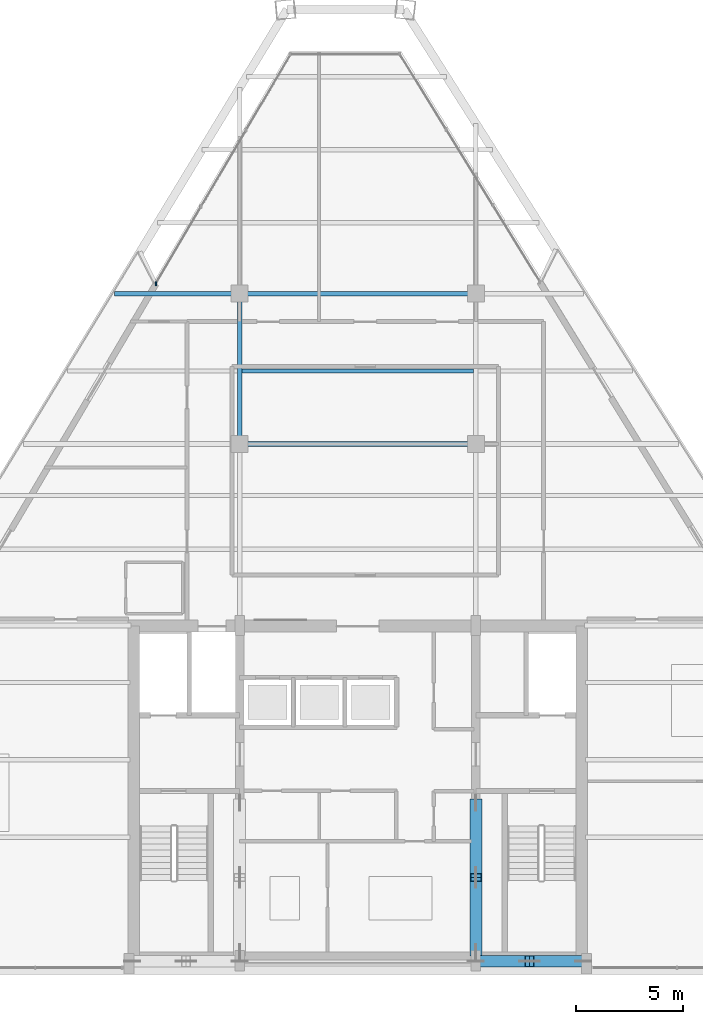
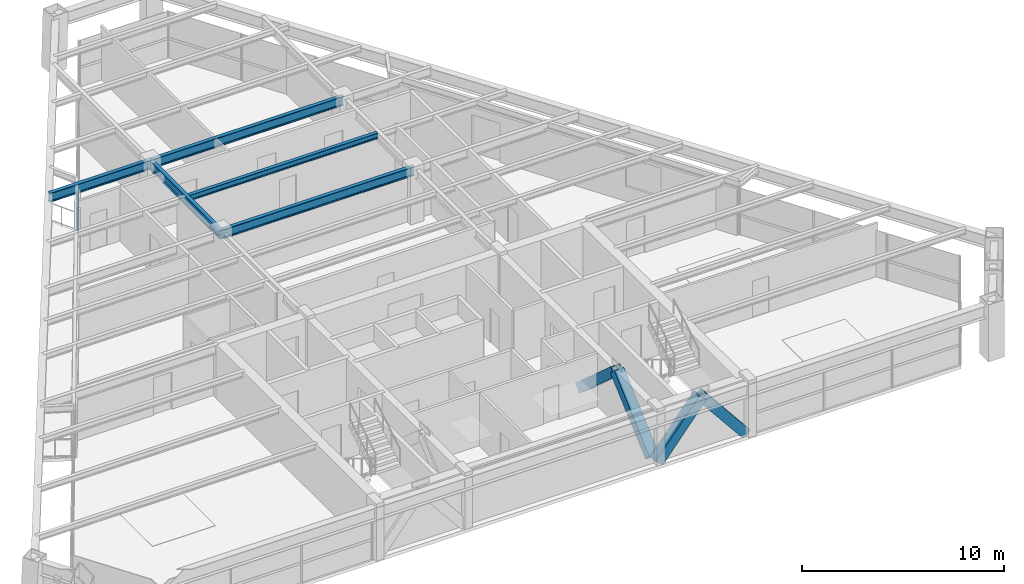
# One storey, part 4 of 14: 6 members, 5 beams, 1 element without a shape of its own.
"""IFC4 building model written with IfcOpenShell, lengths in metres."""

from ifc_helpers import new_model, si_unit, direction, frame, origin, origin_2d, place, context, subcontext, project, spatial, rectangle, hollow_rectangle, i_section, extrude, source, transform, mapped, material, material_profile, profile_set, type_object, type_shapes, element, aggregate, save


model = new_model("IFC4")

# Units and contexts
model_context = context("Model", 3, precision=1e-05, world=origin(), true_north=direction((0.0, 1.0)))
body_context = subcontext(model_context, "Body", "Model", "MODEL_VIEW")
ifc_project = project(units=[si_unit("LENGTHUNIT", "METRE"), si_unit("AREAUNIT", "SQUARE_METRE"), si_unit("VOLUMEUNIT", "CUBIC_METRE"), si_unit("PLANEANGLEUNIT", "RADIAN"), si_unit("MASSUNIT", "GRAM", prefix="KILO")], contexts=[model_context])

# Site, building, storey
site_placement = place(None, origin())
site = spatial("IfcSite", under=ifc_project, at=site_placement, CompositionType="ELEMENT")
building_placement = place(site_placement, origin())
building = spatial("IfcBuilding", under=site, at=building_placement, Name="Varnakhor Terracotta Tower", CompositionType="ELEMENT")
storey_placement = place(building_placement, frame((0.0, 0.0, 240.699951171875)))
storey = spatial("IfcBuildingStorey", under=building, at=storey_placement, Name="L62", CompositionType="ELEMENT", Elevation=240.699951171875)

# Beams
ifc_material_1 = material(Name="Steel S355", Category="steel")
ifc_material_profile_1 = material_profile(ifc_material_1, i_section(OverallWidth=0.214111328125, OverallDepth=0.549072265625, WebThickness=0.014892578125, FlangeThickness=0.02392578125, FilletRadius=0.01806640625, at=origin_2d()), Name="W21X93")
ifc_profile_set_1 = profile_set([ifc_material_profile_1], Name="Steel S355")
beam_type_1 = type_object("IfcBeamType", Name="BM-W21X93", PredefinedType="BEAM", material=ifc_profile_set_1)
shared_shape_1 = source(origin(), body_context, "Body", "SweptSolid", [
    extrude(i_section(OverallWidth=0.214111328125, OverallDepth=0.549072265625, WebThickness=0.014892578125, FlangeThickness=0.02392578125, FilletRadius=0.01806640625, at=origin_2d()), origin(), (0.0, 0.0, 1.0), 7.0),
])
beam_1_placement = place(storey_placement, frame((-5.5, 24.5, 2.965576171875), z_axis=(0.0, 1.0, 0.0), x_axis=(-1.0, 0.0, 0.0)))
element("IfcBeam", 1, at=beam_1_placement, inside=storey, type_object=beam_type_1, Name="L62 Primary Girder NS2-W", PredefinedType="BEAM", context=body_context, shape_type="MappedRepresentation", body=[
    mapped(shared_shape_1, transform((0.0, 0.0, 0.0), scale=1.0)),
])
shared_shape_2 = source(origin(), body_context, "Body", "SweptSolid", [
    extrude(i_section(OverallWidth=0.214111328125, OverallDepth=0.549072265625, WebThickness=0.014892578125, FlangeThickness=0.02392578125, FilletRadius=0.01806640625, at=origin_2d()), origin(), (0.0, 0.0, 1.0), 11.0),
])
for number, where, z_axis, x_axis, name in (
    (2, (-5.5, 24.5, 2.965576171875), (1.0, 0.0, 0.0), (0.0, 1.0, 0.0), "L62 Primary Girder EW2-2"),
    (3, (-5.5, 31.5, 2.965576171875), (1.0, 0.0, 0.0), (0.0, 1.0, 0.0), "L62 Primary Girder EW3-2"),
):
    element("IfcBeam", number, at=place(storey_placement, frame(where, z_axis=z_axis, x_axis=x_axis)), inside=storey, type_object=beam_type_1, Name=name, PredefinedType="BEAM", context=body_context, shape_type="MappedRepresentation", body=[
        mapped(shared_shape_2, transform((0.0, 0.0, 0.0), scale=1.0)),
    ])
ifc_material_profile_2 = material_profile(ifc_material_1, i_section(OverallWidth=0.202880859375, OverallDepth=0.346923828125, WebThickness=0.0078125, FlangeThickness=0.013427734375, FilletRadius=0.01806640625, at=origin_2d()), Name="W14X43")
ifc_profile_set_2 = profile_set([ifc_material_profile_2], Name="Steel S355")
beam_type_2 = type_object("IfcBeamType", Name="JST-W14X43", PredefinedType="JOIST", material=ifc_profile_set_2)
shared_shape_3 = source(origin(), body_context, "Body", "SweptSolid", [
    extrude(i_section(OverallWidth=0.202880859375, OverallDepth=0.346923828125, WebThickness=0.0078125, FlangeThickness=0.013427734375, FilletRadius=0.01806640625, at=origin_2d()), origin(), (0.0, 0.0, 1.0), 10.7939453125),
])
beam_2_placement = place(storey_placement, frame((-5.39697265625, 27.89990234375, 3.066650390625), z_axis=(1.0, 0.0, 0.0), x_axis=(0.0, 1.0, 0.0)))
element("IfcBeam", 4, at=beam_2_placement, inside=storey, type_object=beam_type_2, Name="L62 Composite Floor Joist 6-2", PredefinedType="JOIST", context=body_context, shape_type="MappedRepresentation", body=[
    mapped(shared_shape_3, transform((0.0, 0.0, 0.0), scale=1.0)),
])

# Members
ifc_material_profile_3 = material_profile(ifc_material_1, hollow_rectangle(XDim=0.550048828125, YDim=0.550048828125, WallThickness=0.034912109375, at=origin_2d()), Name="HSS550X550X35")
ifc_profile_set_3 = profile_set([ifc_material_profile_3], Name="Steel S355")
member_type_1 = type_object("IfcMemberType", Name="MBR-MEGA-550", PredefinedType="BRACE", material=ifc_profile_set_3)
shared_shape_4 = source(origin(), body_context, "Body", "SweptSolid", [
    extrude(hollow_rectangle(XDim=0.550048828125, YDim=0.550048828125, WallThickness=0.034912109375, at=origin_2d()), origin(), (0.0, 0.0, 1.0), 3.974853515625),
])
for number, where, z_axis, x_axis, name in (
    (5, (5.5, 0.419921875, 0.0), (0.628970263838, 0.0, 0.777429358339), (0.0, 1.0, 0.0), "L62 Core Coupled Brace CSEA"),
    (6, (10.5, 0.419921875, 0.0), (-0.628970263838, 0.0, 0.777429358339), (0.0, -1.0, 0.0), "L62 Core Coupled Brace CSEB"),
):
    element("IfcMember", number, at=place(storey_placement, frame(where, z_axis=z_axis, x_axis=x_axis)), inside=storey, type_object=member_type_1, Name=name, PredefinedType="BRACE", context=body_context, shape_type="MappedRepresentation", body=[
        mapped(shared_shape_4, transform((0.0, 0.0, 0.0), scale=1.0)),
    ])
shared_shape_5 = source(origin(), body_context, "Body", "SweptSolid", [
    extrude(hollow_rectangle(XDim=0.550048828125, YDim=0.550048828125, WallThickness=0.034912109375, at=origin_2d()), origin(), (0.0, 0.0, 1.0), 4.650146484375),
])
for number, where, z_axis, x_axis, name in (
    (7, (5.5, 0.85009765625, 0.0), (0.0, 0.74726736397, 0.664523503532), (-1.0, 0.0, 0.0), "L62 Core Coupled Brace CWEA"),
    (8, (5.5, 7.800048828125, 0.0), (0.0, -0.74729054724, 0.664497432655), (1.0, 0.0, 0.0), "L62 Core Coupled Brace CWEB"),
):
    element("IfcMember", number, at=place(storey_placement, frame(where, z_axis=z_axis, x_axis=x_axis)), inside=storey, type_object=member_type_1, Name=name, PredefinedType="BRACE", context=body_context, shape_type="MappedRepresentation", body=[
        mapped(shared_shape_5, transform((0.0, 0.0, 0.0), scale=1.0)),
    ])

# Beam
shared_shape_6 = source(origin(), body_context, "Body", "SweptSolid", [
    extrude(i_section(OverallWidth=0.214111328125, OverallDepth=0.549072265625, WebThickness=0.014892578125, FlangeThickness=0.02392578125, FilletRadius=0.01806640625, at=origin_2d()), origin(), (0.0, 0.0, 1.0), 5.81591796875),
])
beam_3_placement = place(storey_placement, frame((-11.31591796875, 31.5, 2.965576171875), z_axis=(1.0, 0.0, 0.0), x_axis=(0.0, 1.0, 0.0)))
element("IfcBeam", 9, at=beam_3_placement, inside=storey, type_object=beam_type_1, Name="L62 Primary Girder EW3-1", PredefinedType="BEAM", context=body_context, shape_type="MappedRepresentation", body=[
    mapped(shared_shape_6, transform((0.0, 0.0, 0.0), scale=1.0)),
])

# Curtain wall, members
ifc_material_2 = material(Name="Anodised Aluminium Curtain Wall System", Category="aluminium")
curtain_wall_type = type_object("IfcCurtainWallType", Name="CW-SYS-HOTEL-LOGGIA", PredefinedType="NOTDEFINED", material=ifc_material_2)
curtain_wall_placement = place(storey_placement, origin())
curtain_wall = element("IfcCurtainWall", 10, at=curtain_wall_placement, inside=storey, type_object=curtain_wall_type, Name="L62 W Facet Curtain Wall 2", PredefinedType="NOTDEFINED")
ifc_material_3 = material(Name="Anodised Aluminium 6063-T6", Category="aluminium")
ifc_material_profile_4 = material_profile(ifc_material_3, rectangle(XDim=0.06494140625, YDim=0.159912109375, at=origin_2d()), Name="ALU MULLION 65x160")
ifc_profile_set_4 = profile_set([ifc_material_profile_4], Name="Anodised Aluminium 6063-T6")
member_type_2 = type_object("IfcMemberType", Name="CWM-04", PredefinedType="MULLION", material=ifc_profile_set_4)
shared_shape_7 = source(origin(), body_context, "Body", "SweptSolid", [
    extrude(rectangle(XDim=0.06494140625, YDim=0.159912109375, at=origin_2d()), origin(), (0.0, 0.0, 1.0), 2.820068359375),
])
type_shapes(member_type_2, [shared_shape_7])
member_1_placement = place(storey_placement, frame((-9.397705078125, 31.9833984375, 0.0), z_axis=(0.0, 0.0, 1.0), x_axis=(1.0, 0.0, 0.0)))
member_1 = element("IfcMember", 11, at=member_1_placement, type_object=member_type_2, Name="L62 W Facet Curtain Wall 2 Mullion 1", PredefinedType="MULLION", context=body_context, shape_type="MappedRepresentation", body=[
    mapped(shared_shape_7, transform((0.0, 0.0, 0.0), scale=1.0)),
])
member_2_placement = place(storey_placement, frame((-9.3955078125, 31.947509765625, 0.0), z_axis=(0.0, 0.0, 1.0), x_axis=(1.0, 0.0, 0.0)))
member_2 = element("IfcMember", 12, at=member_2_placement, type_object=member_type_2, Name="L62 W Loggia Jamb Closure Mullion 2", PredefinedType="MULLION", context=body_context, shape_type="MappedRepresentation", body=[
    mapped(shared_shape_7, transform((0.0, 0.0, 0.0), scale=1.0)),
])
aggregate(curtain_wall, [member_1, member_2])

save(model, "model.ifc")
